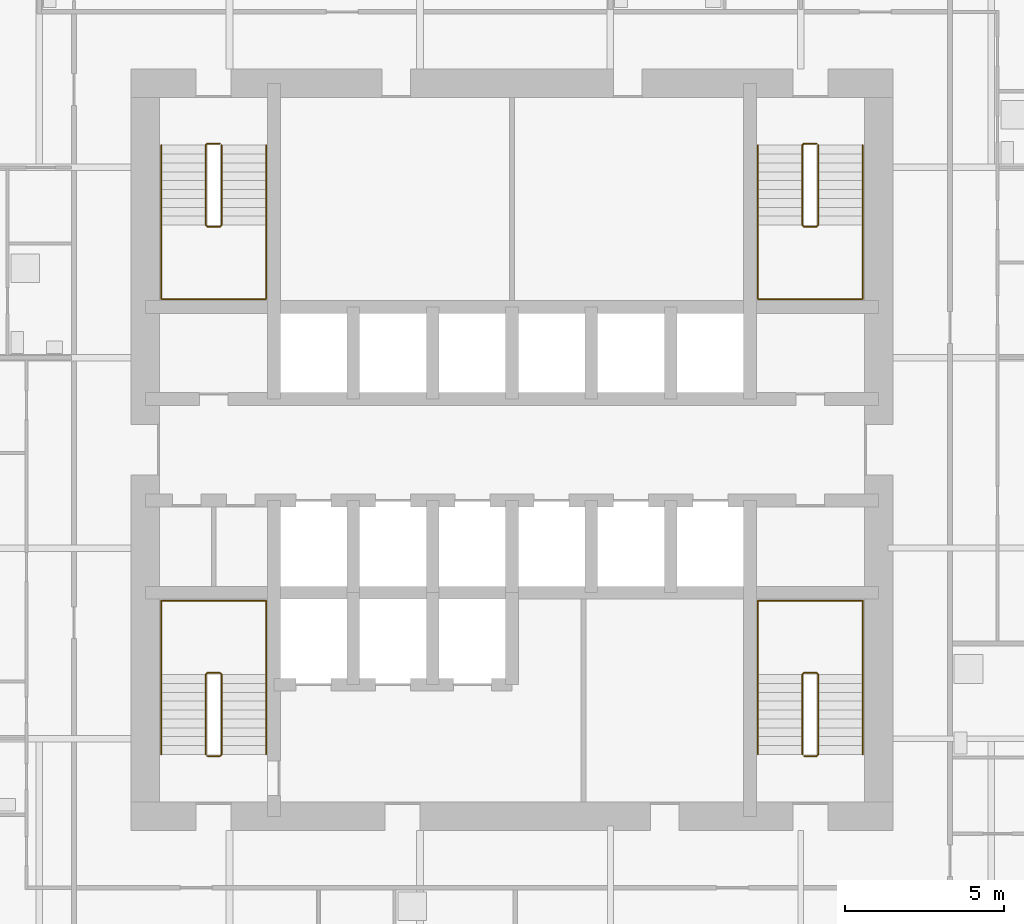
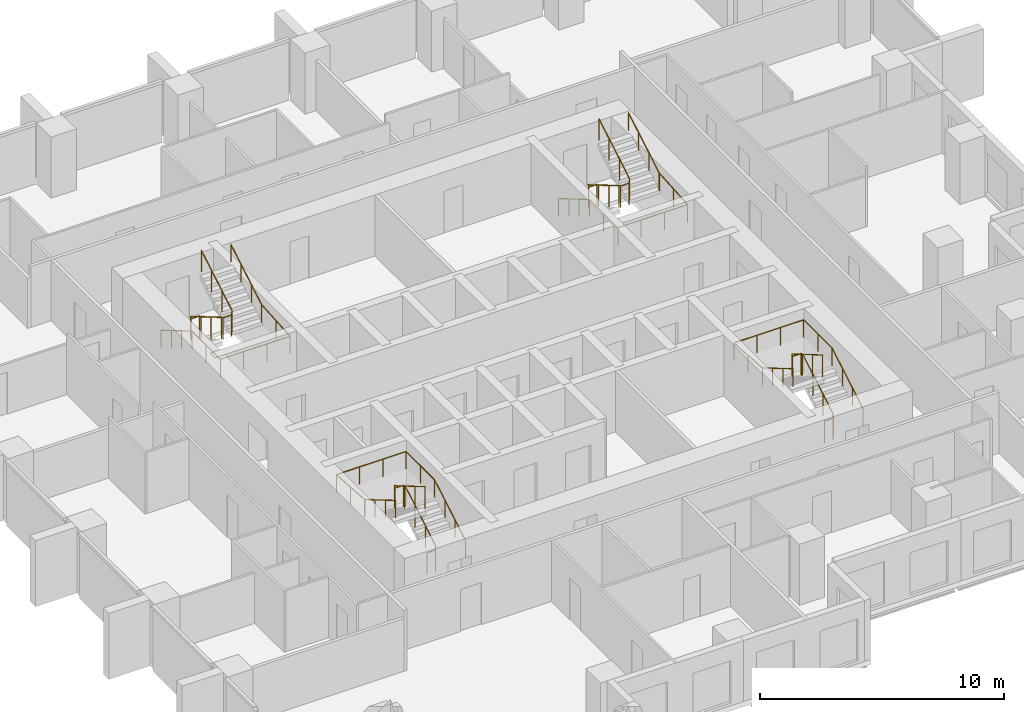
# One storey, part 9 of 10: 8 railings.
"""IFC4 building model written with IfcOpenShell, lengths in metres."""

from ifc_helpers import new_model, si_unit, direction, frame, origin, origin_2d, place, context, subcontext, project, spatial, circle, extrude, material, type_object, element, save


model = new_model("IFC4")

# Units and contexts
model_context = context("Model", 3, precision=1e-05, world=origin(), true_north=direction((0.0, 1.0)))
body_context = subcontext(model_context, "Body", "Model", "MODEL_VIEW")
ifc_project = project(units=[si_unit("LENGTHUNIT", "METRE"), si_unit("AREAUNIT", "SQUARE_METRE"), si_unit("VOLUMEUNIT", "CUBIC_METRE"), si_unit("PLANEANGLEUNIT", "RADIAN"), si_unit("MASSUNIT", "GRAM", prefix="KILO")], contexts=[model_context])

# Site, building, storey
site_placement = place(None, origin())
site = spatial("IfcSite", under=ifc_project, at=site_placement, CompositionType="ELEMENT")
building_placement = place(site_placement, origin())
building = spatial("IfcBuilding", under=site, at=building_placement, Name="Amberfall Residences", CompositionType="ELEMENT")
storey_placement = place(building_placement, frame((0.0, 0.0, 36.699951171875)))
storey = spatial("IfcBuildingStorey", under=building, at=storey_placement, Name="L09", CompositionType="ELEMENT", Elevation=36.699951171875)

# Railings
ifc_material = material(Name="Stainless steel 316", Category="steel")
railing_type_1 = type_object("IfcRailingType", Name="Stair guard 1100", PredefinedType="GUARDRAIL", material=ifc_material)
railing_1_placement = place(storey_placement, frame((64.89990234375, 35.85009765625, 0.0)))
element("IfcRailing", 1, at=railing_1_placement, inside=storey, type_object=railing_type_1, Name="L09 stair 1 guard", PredefinedType="GUARDRAIL", context=body_context, shape_type="SweptSolid", body=[
    extrude(circle(Radius=0.02392578125, at=origin_2d()), frame((0.0, 0.0, 1.076171875), z_axis=(1.0, 0.0, 0.0), x_axis=(0.0, 1.0, 0.0)), (0.0, 0.0, 1.0), 0.400146484375),
    extrude(circle(Radius=0.02392578125, at=origin_2d()), frame((0.400146484375, 0.0, 1.076171875), z_axis=(0.278810427259, 0.277450376394, 0.919394384522), x_axis=(-0.705375805398, 0.708833529934, 0.0)), (0.0, 0.0, 1.0), 0.179443359375),
    extrude(circle(Radius=0.02392578125, at=origin_2d()), frame((0.4501953125, 0.0498046875, 1.2412109375), z_axis=(0.0, 0.86152411907, 0.507716645641), x_axis=(-1.0, 0.0, 0.0)), (0.0, 0.0, 1.0), 2.925048828125),
    extrude(circle(Radius=0.02392578125, at=origin_2d()), frame((0.4501953125, 2.56982421875, 2.72607421875), z_axis=(-0.707106781187, 0.707106781187, 0.0), x_axis=(-0.707106781187, -0.707106781187, 0.0)), (0.0, 0.0, 1.0), 0.07080078125),
    extrude(circle(Radius=0.02392578125, at=origin_2d()), frame((0.400146484375, 2.619873046875, 2.72607421875), z_axis=(-1.0, 0.0, 0.0), x_axis=(0.0, -1.0, 0.0)), (0.0, 0.0, 1.0), 0.400146484375),
    extrude(circle(Radius=0.02392578125, at=origin_2d()), frame((0.0, 2.619873046875, 2.72607421875), z_axis=(-0.277797701265, -0.279159454702, 0.919183570361), x_axis=(0.708833529934, -0.705375805398, 0.0)), (0.0, 0.0, 1.0), 0.17919921875),
    extrude(circle(Radius=0.02392578125, at=origin_2d()), frame((-0.0498046875, 2.56982421875, 2.89111328125), z_axis=(0.0, -0.86152411907, 0.507716645641), x_axis=(1.0, 0.0, 0.0)), (0.0, 0.0, 1.0), 2.925048828125),
    extrude(circle(Radius=0.02099609375, at=origin_2d()), origin(), (0.0, 0.0, 1.0), 1.052001953125),
    extrude(circle(Radius=0.02099609375, at=origin_2d()), frame((0.400146484375, 0.0, 0.0)), (0.0, 0.0, 1.0), 1.052001953125),
    extrude(circle(Radius=0.02099609375, at=origin_2d()), frame((0.4501953125, 0.0498046875, 0.1650390625)), (0.0, 0.0, 1.0), 1.052001953125),
    extrude(circle(Radius=0.02099609375, at=origin_2d()), frame((0.4501953125, 0.889892578125, 0.66015625)), (0.0, 0.0, 1.0), 1.052001953125),
    extrude(circle(Radius=0.02099609375, at=origin_2d()), frame((0.4501953125, 1.729736328125, 1.155029296875)), (0.0, 0.0, 1.0), 1.052001953125),
    extrude(circle(Radius=0.02099609375, at=origin_2d()), frame((0.4501953125, 2.56982421875, 1.650146484375)), (0.0, 0.0, 1.0), 1.052001953125),
    extrude(circle(Radius=0.02099609375, at=origin_2d()), frame((0.400146484375, 2.619873046875, 1.650146484375)), (0.0, 0.0, 1.0), 1.052001953125),
    extrude(circle(Radius=0.02099609375, at=origin_2d()), frame((0.0, 2.619873046875, 1.650146484375)), (0.0, 0.0, 1.0), 1.052001953125),
    extrude(circle(Radius=0.02099609375, at=origin_2d()), frame((-0.0498046875, 2.56982421875, 1.81494140625)), (0.0, 0.0, 1.0), 1.052001953125),
    extrude(circle(Radius=0.02099609375, at=origin_2d()), frame((-0.0498046875, 1.729736328125, 2.31005859375)), (0.0, 0.0, 1.0), 1.052001953125),
    extrude(circle(Radius=0.02099609375, at=origin_2d()), frame((-0.0498046875, 0.889892578125, 2.804931640625)), (0.0, 0.0, 1.0), 1.052001953125),
    extrude(circle(Radius=0.02099609375, at=origin_2d()), frame((-0.0498046875, 0.0498046875, 3.300048828125)), (0.0, 0.0, 1.0), 1.052001953125),
])
railing_2_placement = place(storey_placement, frame((83.699951171875, 35.85009765625, 0.0)))
element("IfcRailing", 2, at=railing_2_placement, inside=storey, type_object=railing_type_1, Name="L09 stair 2 guard", PredefinedType="GUARDRAIL", context=body_context, shape_type="SweptSolid", body=[
    extrude(circle(Radius=0.02392578125, at=origin_2d()), frame((0.0, 0.0, 1.076171875), z_axis=(1.0, 0.0, 0.0), x_axis=(0.0, 1.0, 0.0)), (0.0, 0.0, 1.0), 0.400146484375),
    extrude(circle(Radius=0.02392578125, at=origin_2d()), frame((0.400146484375, 0.0, 1.076171875), z_axis=(0.27755538755, 0.27755538755, 0.919742362667), x_axis=(-0.707106781187, 0.707106781187, 0.0)), (0.0, 0.0, 1.0), 0.179443359375),
    extrude(circle(Radius=0.02392578125, at=origin_2d()), frame((0.449951171875, 0.0498046875, 1.2412109375), z_axis=(0.0, 0.86152411907, 0.507716645641), x_axis=(-1.0, 0.0, 0.0)), (0.0, 0.0, 1.0), 2.925048828125),
    extrude(circle(Radius=0.02392578125, at=origin_2d()), frame((0.449951171875, 2.56982421875, 2.72607421875), z_axis=(-0.705375805398, 0.708833529934, 0.0), x_axis=(-0.708833529934, -0.705375805398, 0.0)), (0.0, 0.0, 1.0), 0.070556640625),
    extrude(circle(Radius=0.02392578125, at=origin_2d()), frame((0.400146484375, 2.619873046875, 2.72607421875), z_axis=(-1.0, 0.0, 0.0), x_axis=(0.0, -1.0, 0.0)), (0.0, 0.0, 1.0), 0.400146484375),
    extrude(circle(Radius=0.02392578125, at=origin_2d()), frame((0.0, 2.619873046875, 2.72607421875), z_axis=(-0.279053652268, -0.279053652268, 0.918835196492), x_axis=(0.707106781187, -0.707106781187, 0.0)), (0.0, 0.0, 1.0), 0.179443359375),
    extrude(circle(Radius=0.02392578125, at=origin_2d()), frame((-0.050048828125, 2.56982421875, 2.89111328125), z_axis=(0.0, -0.86152411907, 0.507716645641), x_axis=(1.0, 0.0, 0.0)), (0.0, 0.0, 1.0), 2.925048828125),
    extrude(circle(Radius=0.02099609375, at=origin_2d()), origin(), (0.0, 0.0, 1.0), 1.052001953125),
    extrude(circle(Radius=0.02099609375, at=origin_2d()), frame((0.400146484375, 0.0, 0.0)), (0.0, 0.0, 1.0), 1.052001953125),
    extrude(circle(Radius=0.02099609375, at=origin_2d()), frame((0.449951171875, 0.0498046875, 0.1650390625)), (0.0, 0.0, 1.0), 1.052001953125),
    extrude(circle(Radius=0.02099609375, at=origin_2d()), frame((0.449951171875, 0.889892578125, 0.66015625)), (0.0, 0.0, 1.0), 1.052001953125),
    extrude(circle(Radius=0.02099609375, at=origin_2d()), frame((0.449951171875, 1.729736328125, 1.155029296875)), (0.0, 0.0, 1.0), 1.052001953125),
    extrude(circle(Radius=0.02099609375, at=origin_2d()), frame((0.449951171875, 2.56982421875, 1.650146484375)), (0.0, 0.0, 1.0), 1.052001953125),
    extrude(circle(Radius=0.02099609375, at=origin_2d()), frame((0.400146484375, 2.619873046875, 1.650146484375)), (0.0, 0.0, 1.0), 1.052001953125),
    extrude(circle(Radius=0.02099609375, at=origin_2d()), frame((0.0, 2.619873046875, 1.650146484375)), (0.0, 0.0, 1.0), 1.052001953125),
    extrude(circle(Radius=0.02099609375, at=origin_2d()), frame((-0.050048828125, 2.56982421875, 1.81494140625)), (0.0, 0.0, 1.0), 1.052001953125),
    extrude(circle(Radius=0.02099609375, at=origin_2d()), frame((-0.050048828125, 1.729736328125, 2.31005859375)), (0.0, 0.0, 1.0), 1.052001953125),
    extrude(circle(Radius=0.02099609375, at=origin_2d()), frame((-0.050048828125, 0.889892578125, 2.804931640625)), (0.0, 0.0, 1.0), 1.052001953125),
    extrude(circle(Radius=0.02099609375, at=origin_2d()), frame((-0.050048828125, 0.0498046875, 3.300048828125)), (0.0, 0.0, 1.0), 1.052001953125),
])
railing_3_placement = place(storey_placement, frame((84.10009765625, 55.14990234375, 0.0)))
element("IfcRailing", 3, at=railing_3_placement, inside=storey, type_object=railing_type_1, Name="L09 stair 3 guard", PredefinedType="GUARDRAIL", context=body_context, shape_type="SweptSolid", body=[
    extrude(circle(Radius=0.02392578125, at=origin_2d()), frame((0.0, 0.0, 1.076171875), z_axis=(-1.0, 0.0, 0.0), x_axis=(0.0, -1.0, 0.0)), (0.0, 0.0, 1.0), 0.400146484375),
    extrude(circle(Radius=0.02392578125, at=origin_2d()), frame((-0.400146484375, 0.0, 1.076171875), z_axis=(-0.278810427259, -0.277450376394, 0.919394384522), x_axis=(0.705375805398, -0.708833529934, 0.0)), (0.0, 0.0, 1.0), 0.179443359375),
    extrude(circle(Radius=0.02392578125, at=origin_2d()), frame((-0.4501953125, -0.0498046875, 1.2412109375), z_axis=(0.0, -0.86152411907, 0.507716645641), x_axis=(1.0, 0.0, 0.0)), (0.0, 0.0, 1.0), 2.925048828125),
    extrude(circle(Radius=0.02392578125, at=origin_2d()), frame((-0.4501953125, -2.56982421875, 2.72607421875), z_axis=(0.707106781187, -0.707106781187, 0.0), x_axis=(0.707106781187, 0.707106781187, 0.0)), (0.0, 0.0, 1.0), 0.07080078125),
    extrude(circle(Radius=0.02392578125, at=origin_2d()), frame((-0.400146484375, -2.619873046875, 2.72607421875), z_axis=(1.0, 0.0, 0.0), x_axis=(0.0, 1.0, 0.0)), (0.0, 0.0, 1.0), 0.400146484375),
    extrude(circle(Radius=0.02392578125, at=origin_2d()), frame((0.0, -2.619873046875, 2.72607421875), z_axis=(0.277797701265, 0.279159454702, 0.919183570361), x_axis=(-0.708833529934, 0.705375805398, 0.0)), (0.0, 0.0, 1.0), 0.17919921875),
    extrude(circle(Radius=0.02392578125, at=origin_2d()), frame((0.0498046875, -2.56982421875, 2.89111328125), z_axis=(0.0, 0.86152411907, 0.507716645641), x_axis=(-1.0, 0.0, 0.0)), (0.0, 0.0, 1.0), 2.925048828125),
    extrude(circle(Radius=0.02099609375, at=origin_2d()), origin(), (0.0, 0.0, 1.0), 1.052001953125),
    extrude(circle(Radius=0.02099609375, at=origin_2d()), frame((-0.400146484375, 0.0, 0.0)), (0.0, 0.0, 1.0), 1.052001953125),
    extrude(circle(Radius=0.02099609375, at=origin_2d()), frame((-0.4501953125, -0.0498046875, 0.1650390625)), (0.0, 0.0, 1.0), 1.052001953125),
    extrude(circle(Radius=0.02099609375, at=origin_2d()), frame((-0.4501953125, -0.889892578125, 0.66015625)), (0.0, 0.0, 1.0), 1.052001953125),
    extrude(circle(Radius=0.02099609375, at=origin_2d()), frame((-0.4501953125, -1.729736328125, 1.155029296875)), (0.0, 0.0, 1.0), 1.052001953125),
    extrude(circle(Radius=0.02099609375, at=origin_2d()), frame((-0.4501953125, -2.56982421875, 1.650146484375)), (0.0, 0.0, 1.0), 1.052001953125),
    extrude(circle(Radius=0.02099609375, at=origin_2d()), frame((-0.400146484375, -2.619873046875, 1.650146484375)), (0.0, 0.0, 1.0), 1.052001953125),
    extrude(circle(Radius=0.02099609375, at=origin_2d()), frame((0.0, -2.619873046875, 1.650146484375)), (0.0, 0.0, 1.0), 1.052001953125),
    extrude(circle(Radius=0.02099609375, at=origin_2d()), frame((0.0498046875, -2.56982421875, 1.81494140625)), (0.0, 0.0, 1.0), 1.052001953125),
    extrude(circle(Radius=0.02099609375, at=origin_2d()), frame((0.0498046875, -1.729736328125, 2.31005859375)), (0.0, 0.0, 1.0), 1.052001953125),
    extrude(circle(Radius=0.02099609375, at=origin_2d()), frame((0.0498046875, -0.889892578125, 2.804931640625)), (0.0, 0.0, 1.0), 1.052001953125),
    extrude(circle(Radius=0.02099609375, at=origin_2d()), frame((0.0498046875, -0.0498046875, 3.300048828125)), (0.0, 0.0, 1.0), 1.052001953125),
])
railing_4_placement = place(storey_placement, frame((65.300048828125, 55.14990234375, 0.0)))
element("IfcRailing", 4, at=railing_4_placement, inside=storey, type_object=railing_type_1, Name="L09 stair 4 guard", PredefinedType="GUARDRAIL", context=body_context, shape_type="SweptSolid", body=[
    extrude(circle(Radius=0.02392578125, at=origin_2d()), frame((0.0, 0.0, 1.076171875), z_axis=(-1.0, 0.0, 0.0), x_axis=(0.0, -1.0, 0.0)), (0.0, 0.0, 1.0), 0.400146484375),
    extrude(circle(Radius=0.02392578125, at=origin_2d()), frame((-0.400146484375, 0.0, 1.076171875), z_axis=(-0.27755538755, -0.27755538755, 0.919742362667), x_axis=(0.707106781187, -0.707106781187, 0.0)), (0.0, 0.0, 1.0), 0.179443359375),
    extrude(circle(Radius=0.02392578125, at=origin_2d()), frame((-0.449951171875, -0.0498046875, 1.2412109375), z_axis=(0.0, -0.86152411907, 0.507716645641), x_axis=(1.0, 0.0, 0.0)), (0.0, 0.0, 1.0), 2.925048828125),
    extrude(circle(Radius=0.02392578125, at=origin_2d()), frame((-0.449951171875, -2.56982421875, 2.72607421875), z_axis=(0.705375805398, -0.708833529934, 0.0), x_axis=(0.708833529934, 0.705375805398, 0.0)), (0.0, 0.0, 1.0), 0.070556640625),
    extrude(circle(Radius=0.02392578125, at=origin_2d()), frame((-0.400146484375, -2.619873046875, 2.72607421875), z_axis=(1.0, 0.0, 0.0), x_axis=(0.0, 1.0, 0.0)), (0.0, 0.0, 1.0), 0.400146484375),
    extrude(circle(Radius=0.02392578125, at=origin_2d()), frame((0.0, -2.619873046875, 2.72607421875), z_axis=(0.279053652268, 0.279053652268, 0.918835196492), x_axis=(-0.707106781187, 0.707106781187, 0.0)), (0.0, 0.0, 1.0), 0.179443359375),
    extrude(circle(Radius=0.02392578125, at=origin_2d()), frame((0.050048828125, -2.56982421875, 2.89111328125), z_axis=(0.0, 0.86152411907, 0.507716645641), x_axis=(-1.0, 0.0, 0.0)), (0.0, 0.0, 1.0), 2.925048828125),
    extrude(circle(Radius=0.02099609375, at=origin_2d()), origin(), (0.0, 0.0, 1.0), 1.052001953125),
    extrude(circle(Radius=0.02099609375, at=origin_2d()), frame((-0.400146484375, 0.0, 0.0)), (0.0, 0.0, 1.0), 1.052001953125),
    extrude(circle(Radius=0.02099609375, at=origin_2d()), frame((-0.449951171875, -0.0498046875, 0.1650390625)), (0.0, 0.0, 1.0), 1.052001953125),
    extrude(circle(Radius=0.02099609375, at=origin_2d()), frame((-0.449951171875, -0.889892578125, 0.66015625)), (0.0, 0.0, 1.0), 1.052001953125),
    extrude(circle(Radius=0.02099609375, at=origin_2d()), frame((-0.449951171875, -1.729736328125, 1.155029296875)), (0.0, 0.0, 1.0), 1.052001953125),
    extrude(circle(Radius=0.02099609375, at=origin_2d()), frame((-0.449951171875, -2.56982421875, 1.650146484375)), (0.0, 0.0, 1.0), 1.052001953125),
    extrude(circle(Radius=0.02099609375, at=origin_2d()), frame((-0.400146484375, -2.619873046875, 1.650146484375)), (0.0, 0.0, 1.0), 1.052001953125),
    extrude(circle(Radius=0.02099609375, at=origin_2d()), frame((0.0, -2.619873046875, 1.650146484375)), (0.0, 0.0, 1.0), 1.052001953125),
    extrude(circle(Radius=0.02099609375, at=origin_2d()), frame((0.050048828125, -2.56982421875, 1.81494140625)), (0.0, 0.0, 1.0), 1.052001953125),
    extrude(circle(Radius=0.02099609375, at=origin_2d()), frame((0.050048828125, -1.729736328125, 2.31005859375)), (0.0, 0.0, 1.0), 1.052001953125),
    extrude(circle(Radius=0.02099609375, at=origin_2d()), frame((0.050048828125, -0.889892578125, 2.804931640625)), (0.0, 0.0, 1.0), 1.052001953125),
    extrude(circle(Radius=0.02099609375, at=origin_2d()), frame((0.050048828125, -0.0498046875, 3.300048828125)), (0.0, 0.0, 1.0), 1.052001953125),
])
railing_type_2 = type_object("IfcRailingType", Name="Stair handrail 900", PredefinedType="HANDRAIL", material=ifc_material)
railing_5_placement = place(storey_placement, frame((66.75, 35.89990234375, 0.1650390625)))
element("IfcRailing", 5, at=railing_5_placement, inside=storey, type_object=railing_type_2, Name="L09 stair 1 handrail", PredefinedType="HANDRAIL", context=body_context, shape_type="SweptSolid", body=[
    extrude(circle(Radius=0.02392578125, at=origin_2d()), frame((0.0, 0.0, 0.8759765625), z_axis=(0.0, 0.86152411907, 0.507716645641), x_axis=(-1.0, 0.0, 0.0)), (0.0, 0.0, 1.0), 2.925048828125),
    extrude(circle(Radius=0.02392578125, at=origin_2d()), frame((0.0, 2.52001953125, 2.36083984375), z_axis=(0.0, 1.0, 0.0), x_axis=(-1.0, 0.0, 0.0)), (0.0, 0.0, 1.0), 2.330078125),
    extrude(circle(Radius=0.02392578125, at=origin_2d()), frame((0.0, 4.85009765625, 2.36083984375), z_axis=(-1.0, 0.0, 0.0), x_axis=(0.0, -1.0, 0.0)), (0.0, 0.0, 1.0), 3.300048828125),
    extrude(circle(Radius=0.02392578125, at=origin_2d()), frame((-3.300048828125, 4.85009765625, 2.36083984375), z_axis=(0.0, -0.997508326432, 0.070548839097), x_axis=(1.0, 0.0, 0.0)), (0.0, 0.0, 1.0), 2.3359375),
    extrude(circle(Radius=0.02392578125, at=origin_2d()), frame((-3.300048828125, 2.52001953125, 2.52587890625), z_axis=(0.0, -0.86152411907, 0.507716645641), x_axis=(1.0, 0.0, 0.0)), (0.0, 0.0, 1.0), 2.925048828125),
    extrude(circle(Radius=0.02099609375, at=origin_2d()), origin(), (0.0, 0.0, 1.0), 0.851806640625),
    extrude(circle(Radius=0.02099609375, at=origin_2d()), frame((0.0, 0.840087890625, 0.4951171875)), (0.0, 0.0, 1.0), 0.851806640625),
    extrude(circle(Radius=0.02099609375, at=origin_2d()), frame((0.0, 1.679931640625, 0.989990234375)), (0.0, 0.0, 1.0), 0.851806640625),
    extrude(circle(Radius=0.02099609375, at=origin_2d()), frame((0.0, 2.52001953125, 1.485107421875)), (0.0, 0.0, 1.0), 0.851806640625),
    extrude(circle(Radius=0.02099609375, at=origin_2d()), frame((0.0, 3.68505859375, 1.485107421875)), (0.0, 0.0, 1.0), 0.851806640625),
    extrude(circle(Radius=0.02099609375, at=origin_2d()), frame((0.0, 4.85009765625, 1.485107421875)), (0.0, 0.0, 1.0), 0.851806640625),
    extrude(circle(Radius=0.02099609375, at=origin_2d()), frame((-1.10009765625, 4.85009765625, 1.485107421875)), (0.0, 0.0, 1.0), 0.851806640625),
    extrude(circle(Radius=0.02099609375, at=origin_2d()), frame((-2.199951171875, 4.85009765625, 1.485107421875)), (0.0, 0.0, 1.0), 0.851806640625),
    extrude(circle(Radius=0.02099609375, at=origin_2d()), frame((-3.300048828125, 4.85009765625, 1.485107421875)), (0.0, 0.0, 1.0), 0.851806640625),
    extrude(circle(Radius=0.02099609375, at=origin_2d()), frame((-3.300048828125, 3.68505859375, 1.5673828125)), (0.0, 0.0, 1.0), 0.851806640625),
    extrude(circle(Radius=0.02099609375, at=origin_2d()), frame((-3.300048828125, 2.52001953125, 1.64990234375)), (0.0, 0.0, 1.0), 0.851806640625),
    extrude(circle(Radius=0.02099609375, at=origin_2d()), frame((-3.300048828125, 1.679931640625, 2.14501953125)), (0.0, 0.0, 1.0), 0.851806640625),
    extrude(circle(Radius=0.02099609375, at=origin_2d()), frame((-3.300048828125, 0.840087890625, 2.639892578125)), (0.0, 0.0, 1.0), 0.851806640625),
    extrude(circle(Radius=0.02099609375, at=origin_2d()), frame((-3.300048828125, 0.0, 3.135009765625)), (0.0, 0.0, 1.0), 0.851806640625),
])
railing_6_placement = place(storey_placement, frame((85.550048828125, 35.89990234375, 0.1650390625)))
element("IfcRailing", 6, at=railing_6_placement, inside=storey, type_object=railing_type_2, Name="L09 stair 2 handrail", PredefinedType="HANDRAIL", context=body_context, shape_type="SweptSolid", body=[
    extrude(circle(Radius=0.02392578125, at=origin_2d()), frame((0.0, 0.0, 0.8759765625), z_axis=(0.0, 0.86152411907, 0.507716645641), x_axis=(-1.0, 0.0, 0.0)), (0.0, 0.0, 1.0), 2.925048828125),
    extrude(circle(Radius=0.02392578125, at=origin_2d()), frame((0.0, 2.52001953125, 2.36083984375), z_axis=(0.0, 1.0, 0.0), x_axis=(-1.0, 0.0, 0.0)), (0.0, 0.0, 1.0), 2.330078125),
    extrude(circle(Radius=0.02392578125, at=origin_2d()), frame((0.0, 4.85009765625, 2.36083984375), z_axis=(-1.0, 0.0, 0.0), x_axis=(0.0, -1.0, 0.0)), (0.0, 0.0, 1.0), 3.300048828125),
    extrude(circle(Radius=0.02392578125, at=origin_2d()), frame((-3.300048828125, 4.85009765625, 2.36083984375), z_axis=(0.0, -0.997508326432, 0.070548839097), x_axis=(1.0, 0.0, 0.0)), (0.0, 0.0, 1.0), 2.3359375),
    extrude(circle(Radius=0.02392578125, at=origin_2d()), frame((-3.300048828125, 2.52001953125, 2.52587890625), z_axis=(0.0, -0.86152411907, 0.507716645641), x_axis=(1.0, 0.0, 0.0)), (0.0, 0.0, 1.0), 2.925048828125),
    extrude(circle(Radius=0.02099609375, at=origin_2d()), origin(), (0.0, 0.0, 1.0), 0.851806640625),
    extrude(circle(Radius=0.02099609375, at=origin_2d()), frame((0.0, 0.840087890625, 0.4951171875)), (0.0, 0.0, 1.0), 0.851806640625),
    extrude(circle(Radius=0.02099609375, at=origin_2d()), frame((0.0, 1.679931640625, 0.989990234375)), (0.0, 0.0, 1.0), 0.851806640625),
    extrude(circle(Radius=0.02099609375, at=origin_2d()), frame((0.0, 2.52001953125, 1.485107421875)), (0.0, 0.0, 1.0), 0.851806640625),
    extrude(circle(Radius=0.02099609375, at=origin_2d()), frame((0.0, 3.68505859375, 1.485107421875)), (0.0, 0.0, 1.0), 0.851806640625),
    extrude(circle(Radius=0.02099609375, at=origin_2d()), frame((0.0, 4.85009765625, 1.485107421875)), (0.0, 0.0, 1.0), 0.851806640625),
    extrude(circle(Radius=0.02099609375, at=origin_2d()), frame((-1.10009765625, 4.85009765625, 1.485107421875)), (0.0, 0.0, 1.0), 0.851806640625),
    extrude(circle(Radius=0.02099609375, at=origin_2d()), frame((-2.199951171875, 4.85009765625, 1.485107421875)), (0.0, 0.0, 1.0), 0.851806640625),
    extrude(circle(Radius=0.02099609375, at=origin_2d()), frame((-3.300048828125, 4.85009765625, 1.485107421875)), (0.0, 0.0, 1.0), 0.851806640625),
    extrude(circle(Radius=0.02099609375, at=origin_2d()), frame((-3.300048828125, 3.68505859375, 1.5673828125)), (0.0, 0.0, 1.0), 0.851806640625),
    extrude(circle(Radius=0.02099609375, at=origin_2d()), frame((-3.300048828125, 2.52001953125, 1.64990234375)), (0.0, 0.0, 1.0), 0.851806640625),
    extrude(circle(Radius=0.02099609375, at=origin_2d()), frame((-3.300048828125, 1.679931640625, 2.14501953125)), (0.0, 0.0, 1.0), 0.851806640625),
    extrude(circle(Radius=0.02099609375, at=origin_2d()), frame((-3.300048828125, 0.840087890625, 2.639892578125)), (0.0, 0.0, 1.0), 0.851806640625),
    extrude(circle(Radius=0.02099609375, at=origin_2d()), frame((-3.300048828125, 0.0, 3.135009765625)), (0.0, 0.0, 1.0), 0.851806640625),
])
railing_7_placement = place(storey_placement, frame((82.25, 55.10009765625, 0.1650390625)))
element("IfcRailing", 7, at=railing_7_placement, inside=storey, type_object=railing_type_2, Name="L09 stair 3 handrail", PredefinedType="HANDRAIL", context=body_context, shape_type="SweptSolid", body=[
    extrude(circle(Radius=0.02392578125, at=origin_2d()), frame((0.0, 0.0, 0.8759765625), z_axis=(0.0, -0.86152411907, 0.507716645641), x_axis=(1.0, 0.0, 0.0)), (0.0, 0.0, 1.0), 2.925048828125),
    extrude(circle(Radius=0.02392578125, at=origin_2d()), frame((0.0, -2.52001953125, 2.36083984375), z_axis=(0.0, -1.0, 0.0), x_axis=(1.0, 0.0, 0.0)), (0.0, 0.0, 1.0), 2.330078125),
    extrude(circle(Radius=0.02392578125, at=origin_2d()), frame((0.0, -4.85009765625, 2.36083984375), z_axis=(1.0, 0.0, 0.0), x_axis=(0.0, 1.0, 0.0)), (0.0, 0.0, 1.0), 3.300048828125),
    extrude(circle(Radius=0.02392578125, at=origin_2d()), frame((3.300048828125, -4.85009765625, 2.36083984375), z_axis=(0.0, 0.997508326432, 0.070548839097), x_axis=(-1.0, 0.0, 0.0)), (0.0, 0.0, 1.0), 2.3359375),
    extrude(circle(Radius=0.02392578125, at=origin_2d()), frame((3.300048828125, -2.52001953125, 2.52587890625), z_axis=(0.0, 0.86152411907, 0.507716645641), x_axis=(-1.0, 0.0, 0.0)), (0.0, 0.0, 1.0), 2.925048828125),
    extrude(circle(Radius=0.02099609375, at=origin_2d()), origin(), (0.0, 0.0, 1.0), 0.851806640625),
    extrude(circle(Radius=0.02099609375, at=origin_2d()), frame((0.0, -0.840087890625, 0.4951171875)), (0.0, 0.0, 1.0), 0.851806640625),
    extrude(circle(Radius=0.02099609375, at=origin_2d()), frame((0.0, -1.679931640625, 0.989990234375)), (0.0, 0.0, 1.0), 0.851806640625),
    extrude(circle(Radius=0.02099609375, at=origin_2d()), frame((0.0, -2.52001953125, 1.485107421875)), (0.0, 0.0, 1.0), 0.851806640625),
    extrude(circle(Radius=0.02099609375, at=origin_2d()), frame((0.0, -3.68505859375, 1.485107421875)), (0.0, 0.0, 1.0), 0.851806640625),
    extrude(circle(Radius=0.02099609375, at=origin_2d()), frame((0.0, -4.85009765625, 1.485107421875)), (0.0, 0.0, 1.0), 0.851806640625),
    extrude(circle(Radius=0.02099609375, at=origin_2d()), frame((1.10009765625, -4.85009765625, 1.485107421875)), (0.0, 0.0, 1.0), 0.851806640625),
    extrude(circle(Radius=0.02099609375, at=origin_2d()), frame((2.199951171875, -4.85009765625, 1.485107421875)), (0.0, 0.0, 1.0), 0.851806640625),
    extrude(circle(Radius=0.02099609375, at=origin_2d()), frame((3.300048828125, -4.85009765625, 1.485107421875)), (0.0, 0.0, 1.0), 0.851806640625),
    extrude(circle(Radius=0.02099609375, at=origin_2d()), frame((3.300048828125, -3.68505859375, 1.5673828125)), (0.0, 0.0, 1.0), 0.851806640625),
    extrude(circle(Radius=0.02099609375, at=origin_2d()), frame((3.300048828125, -2.52001953125, 1.64990234375)), (0.0, 0.0, 1.0), 0.851806640625),
    extrude(circle(Radius=0.02099609375, at=origin_2d()), frame((3.300048828125, -1.679931640625, 2.14501953125)), (0.0, 0.0, 1.0), 0.851806640625),
    extrude(circle(Radius=0.02099609375, at=origin_2d()), frame((3.300048828125, -0.840087890625, 2.639892578125)), (0.0, 0.0, 1.0), 0.851806640625),
    extrude(circle(Radius=0.02099609375, at=origin_2d()), frame((3.300048828125, 0.0, 3.135009765625)), (0.0, 0.0, 1.0), 0.851806640625),
])
railing_8_placement = place(storey_placement, frame((63.449951171875, 55.10009765625, 0.1650390625)))
element("IfcRailing", 8, at=railing_8_placement, inside=storey, type_object=railing_type_2, Name="L09 stair 4 handrail", PredefinedType="HANDRAIL", context=body_context, shape_type="SweptSolid", body=[
    extrude(circle(Radius=0.02392578125, at=origin_2d()), frame((0.0, 0.0, 0.8759765625), z_axis=(0.0, -0.86152411907, 0.507716645641), x_axis=(1.0, 0.0, 0.0)), (0.0, 0.0, 1.0), 2.925048828125),
    extrude(circle(Radius=0.02392578125, at=origin_2d()), frame((0.0, -2.52001953125, 2.36083984375), z_axis=(0.0, -1.0, 0.0), x_axis=(1.0, 0.0, 0.0)), (0.0, 0.0, 1.0), 2.330078125),
    extrude(circle(Radius=0.02392578125, at=origin_2d()), frame((0.0, -4.85009765625, 2.36083984375), z_axis=(1.0, 0.0, 0.0), x_axis=(0.0, 1.0, 0.0)), (0.0, 0.0, 1.0), 3.300048828125),
    extrude(circle(Radius=0.02392578125, at=origin_2d()), frame((3.300048828125, -4.85009765625, 2.36083984375), z_axis=(0.0, 0.997508326432, 0.070548839097), x_axis=(-1.0, 0.0, 0.0)), (0.0, 0.0, 1.0), 2.3359375),
    extrude(circle(Radius=0.02392578125, at=origin_2d()), frame((3.300048828125, -2.52001953125, 2.52587890625), z_axis=(0.0, 0.86152411907, 0.507716645641), x_axis=(-1.0, 0.0, 0.0)), (0.0, 0.0, 1.0), 2.925048828125),
    extrude(circle(Radius=0.02099609375, at=origin_2d()), origin(), (0.0, 0.0, 1.0), 0.851806640625),
    extrude(circle(Radius=0.02099609375, at=origin_2d()), frame((0.0, -0.840087890625, 0.4951171875)), (0.0, 0.0, 1.0), 0.851806640625),
    extrude(circle(Radius=0.02099609375, at=origin_2d()), frame((0.0, -1.679931640625, 0.989990234375)), (0.0, 0.0, 1.0), 0.851806640625),
    extrude(circle(Radius=0.02099609375, at=origin_2d()), frame((0.0, -2.52001953125, 1.485107421875)), (0.0, 0.0, 1.0), 0.851806640625),
    extrude(circle(Radius=0.02099609375, at=origin_2d()), frame((0.0, -3.68505859375, 1.485107421875)), (0.0, 0.0, 1.0), 0.851806640625),
    extrude(circle(Radius=0.02099609375, at=origin_2d()), frame((0.0, -4.85009765625, 1.485107421875)), (0.0, 0.0, 1.0), 0.851806640625),
    extrude(circle(Radius=0.02099609375, at=origin_2d()), frame((1.10009765625, -4.85009765625, 1.485107421875)), (0.0, 0.0, 1.0), 0.851806640625),
    extrude(circle(Radius=0.02099609375, at=origin_2d()), frame((2.199951171875, -4.85009765625, 1.485107421875)), (0.0, 0.0, 1.0), 0.851806640625),
    extrude(circle(Radius=0.02099609375, at=origin_2d()), frame((3.300048828125, -4.85009765625, 1.485107421875)), (0.0, 0.0, 1.0), 0.851806640625),
    extrude(circle(Radius=0.02099609375, at=origin_2d()), frame((3.300048828125, -3.68505859375, 1.5673828125)), (0.0, 0.0, 1.0), 0.851806640625),
    extrude(circle(Radius=0.02099609375, at=origin_2d()), frame((3.300048828125, -2.52001953125, 1.64990234375)), (0.0, 0.0, 1.0), 0.851806640625),
    extrude(circle(Radius=0.02099609375, at=origin_2d()), frame((3.300048828125, -1.679931640625, 2.14501953125)), (0.0, 0.0, 1.0), 0.851806640625),
    extrude(circle(Radius=0.02099609375, at=origin_2d()), frame((3.300048828125, -0.840087890625, 2.639892578125)), (0.0, 0.0, 1.0), 0.851806640625),
    extrude(circle(Radius=0.02099609375, at=origin_2d()), frame((3.300048828125, 0.0, 3.135009765625)), (0.0, 0.0, 1.0), 0.851806640625),
])

save(model, "model.ifc")
